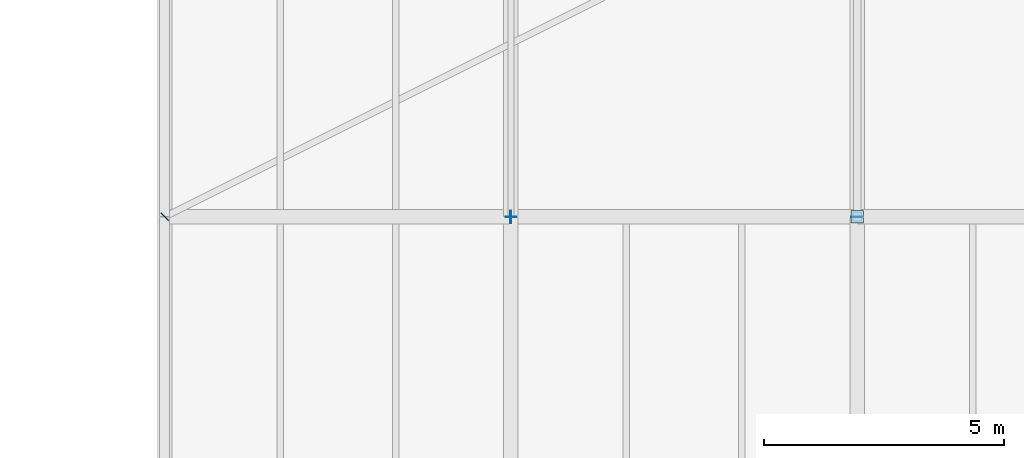
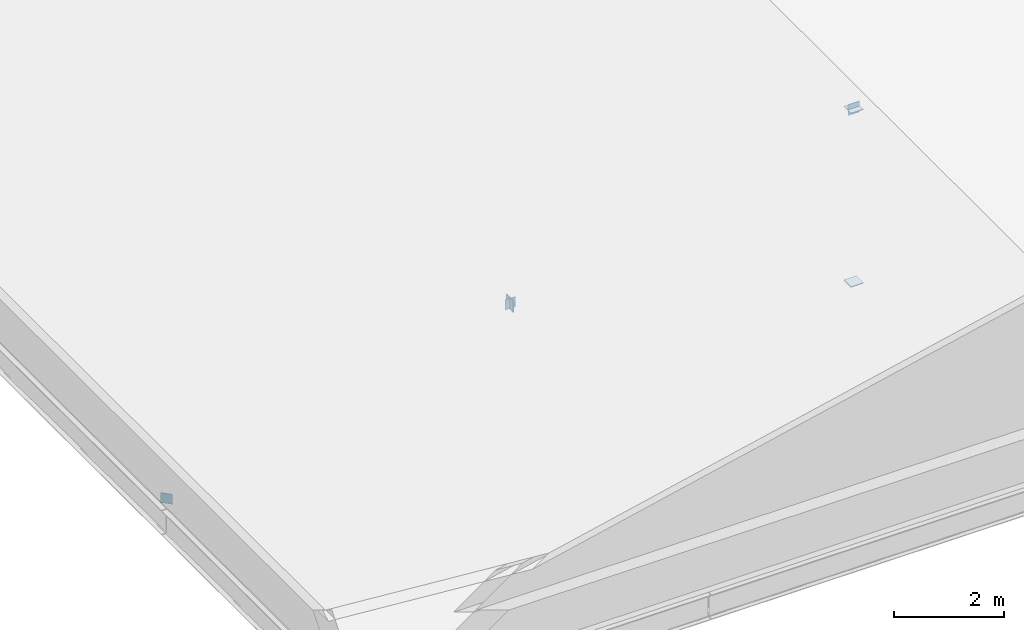
# One storey, part 22 of 44: 6 plates.
"""IFC4 building model written with IfcOpenShell, lengths in metres."""

from ifc_helpers import new_model, si_unit, direction, frame, origin, origin_2d, place, context, subcontext, project, spatial, rectangle, extrude, material, layer, layer_set, type_object, element, save


model = new_model("IFC4")

# Units and contexts
model_context = context("Model", 3, precision=1e-05, world=origin(), true_north=direction((0.0, 1.0)))
body_context = subcontext(model_context, "Body", "Model", "MODEL_VIEW")
ifc_project = project(units=[si_unit("LENGTHUNIT", "METRE"), si_unit("AREAUNIT", "SQUARE_METRE"), si_unit("VOLUMEUNIT", "CUBIC_METRE"), si_unit("PLANEANGLEUNIT", "RADIAN"), si_unit("MASSUNIT", "GRAM", prefix="KILO")], contexts=[model_context])

# Site, building, storey
site_placement = place(None, origin())
site = spatial("IfcSite", under=ifc_project, at=site_placement, CompositionType="ELEMENT")
building_placement = place(site_placement, origin())
building = spatial("IfcBuilding", under=site, at=building_placement, Name="Narikvali Park Central Library", CompositionType="ELEMENT")
storey_placement = place(building_placement, frame((0.0, 0.0, 22.800048828125)))
storey = spatial("IfcBuildingStorey", under=building, at=storey_placement, Name="L05", CompositionType="ELEMENT", Elevation=22.800048828125)

# Plates
ifc_material = material(Name="Steel S355", Category="steel")
ifc_layer = layer(ifc_material, 0.013916015625, Name="Steel S355")
ifc_layer_set = layer_set([ifc_layer], Name="Steel S355")
plate_type = type_object("IfcPlateType", Name="Steel Hollow End Cap Plate 14", PredefinedType="SHEET", material=ifc_layer_set)
for number, where, z_axis, x_axis, name in (
    (1, (43.199951171875, 64.800048828125, -0.2509765625), (0.0, 0.0, 1.0), (1.0, 0.0, 0.0), "Hollow Section Steel End Cap V4-KPCAP-B-1"),
    (2, (43.199951171875, 64.800048828125, 3.59716796875), (0.0, 0.0, 1.0), (1.0, 0.0, 0.0), "Hollow Section Steel End Cap V4-KPCAP-T-1"),
):
    element("IfcPlate", number, at=place(storey_placement, frame(where, z_axis=z_axis, x_axis=x_axis)), inside=storey, type_object=plate_type, Name=name, PredefinedType="SHEET", context=body_context, shape_type="SweptSolid", body=[
        extrude(rectangle(XDim=0.260009765625, YDim=0.260009765625, at=origin_2d()), origin(), (0.0, 0.0, 1.0), 0.013916015625),
    ])
plate_1_placement = place(storey_placement, frame((35.99609375, 64.800048828125, 1.669921875), z_axis=(0.0, 0.0, 1.0), x_axis=(-1.0, 0.0, 0.0)))
element("IfcPlate", 3, at=plate_1_placement, inside=storey, type_object=plate_type, Name="Hollow Section Steel End Cap V4-CTCAP-W-1", PredefinedType="SHEET", context=body_context, shape_type="SweptSolid", body=[
    extrude(rectangle(XDim=0.013916015625, YDim=0.260009765625, at=origin_2d()), origin(), (0.0, 0.0, 1.0), 0.260009765625),
])
plate_2_placement = place(storey_placement, frame((28.797607421875, 64.797607421875, -0.1123046875), z_axis=(0.0, 0.0, 1.0), x_axis=(-0.707106781187, 0.707106781187, 0.0)))
element("IfcPlate", 4, at=plate_2_placement, inside=storey, type_object=plate_type, Name="Hollow Section Steel End Cap V4-WBCAP-0-1", PredefinedType="SHEET", context=body_context, shape_type="SweptSolid", body=[
    extrude(rectangle(XDim=0.219970703125, YDim=0.013916015625, at=origin_2d()), origin(), (0.0, 0.0, 1.0), 0.219970703125),
])
plate_3_placement = place(storey_placement, frame((43.199951171875, 64.7958984375, 3.47998046875), z_axis=(0.0, 0.0, 1.0), x_axis=(-1.0, 0.0, 0.0)))
element("IfcPlate", 5, at=plate_3_placement, inside=storey, type_object=plate_type, Name="Hollow Section Steel End Cap V4-RPCAP-S", PredefinedType="SHEET", context=body_context, shape_type="SweptSolid", body=[
    extrude(rectangle(XDim=0.239990234375, YDim=0.013916015625, at=origin_2d()), origin(), (0.0, 0.0, 1.0), 0.239990234375),
])
plate_4_placement = place(storey_placement, frame((36.0, 64.7958984375, 1.68994140625), z_axis=(0.0, 0.0, 1.0), x_axis=(-1.0, 0.0, 0.0)))
element("IfcPlate", 6, at=plate_4_placement, inside=storey, type_object=plate_type, Name="Hollow Section Steel End Cap V4-MPCAP-S", PredefinedType="SHEET", context=body_context, shape_type="SweptSolid", body=[
    extrude(rectangle(XDim=0.219970703125, YDim=0.013916015625, at=origin_2d()), origin(), (0.0, 0.0, 1.0), 0.219970703125),
])

save(model, "model.ifc")
